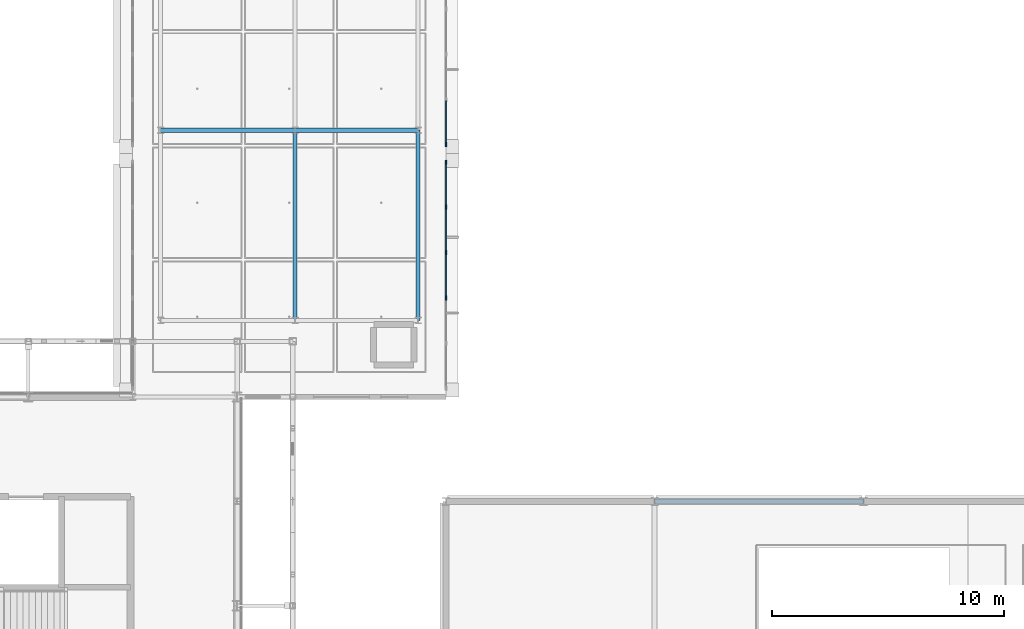
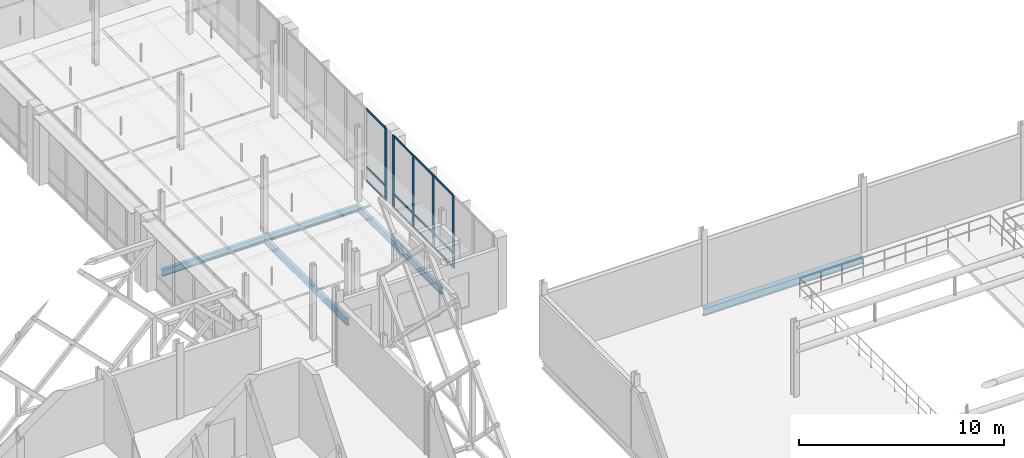
# One storey, part 43 of 140: 17 members, 5 beams, 2 elements without a shape of their own.
"""IFC4 building model written with IfcOpenShell, lengths in metres."""

import ifcopenshell
import ifcopenshell.guid

model = None  # the IFC model being written
_history = None  # IfcOwnerHistory: only IFC2X3 demands one
_inside = {}  # id of a spatial element -> (the spatial element, [elements in it])
_under = {}  # id of a project, library or spatial element -> (it, [spatial elements below it])
_declared = {}  # id of a project -> (the project, [libraries it declares])
_typed = {}  # id of a type object -> (the type object, [elements of that type])
_made_of = {}  # id of a material, layer set ... -> (it, [elements and type objects made of it])


def new_model(schema):
    """Start an empty IFC model of exactly this schema.

    Asked for "IFC4X3", IfcOpenShell would pick the latest addendum, in which some entities
    have other attributes; the version numbers below select the first issue.
    IFC2X3 requires an IfcOwnerHistory on every rooted entity: one is made here for all.
    """
    global model, _history
    if schema == "IFC4X3":
        model = ifcopenshell.file(schema_version=(4, 3, 0, 0))
    else:
        model = ifcopenshell.file(schema=schema)
    _inside.clear()
    _under.clear()
    _declared.clear()
    _typed.clear()
    _made_of.clear()
    _history = None
    if model.schema == "IFC2X3":
        org = make("IfcOrganization", Name="unknown")
        user = make(
            "IfcPersonAndOrganization",
            ThePerson=make("IfcPerson", FamilyName="unknown"),
            TheOrganization=org,
        )
        app = make(
            "IfcApplication",
            ApplicationDeveloper=org,
            Version="unknown",
            ApplicationFullName="unknown",
            ApplicationIdentifier="unknown",
        )
        _history = make(
            "IfcOwnerHistory",
            OwningUser=user,
            OwningApplication=app,
            ChangeAction="ADDED",
            CreationDate=0,
        )
    return model


def make(cls, **values):
    """One entity of the class cls with the attributes given. An attribute that is None is left unset."""
    return model.create_entity(
        cls, **{name: value for name, value in values.items() if value is not None}
    )


def rooted(cls, **values):
    """An entity with a GlobalId (a new one), such as an element, a storey or a relation."""
    return make(cls, GlobalId=ifcopenshell.guid.new(), OwnerHistory=_history, **values)


def si_unit(unit_type, name, prefix=None):
    """IfcSIUnit, for example si_unit("LENGTHUNIT", "METRE", prefix="MILLI")."""
    return make("IfcSIUnit", UnitType=unit_type, Prefix=prefix, Name=name)


def assignment(units):
    """IfcUnitAssignment: the units of a project."""
    return None if units is None else make("IfcUnitAssignment", Units=units)


def point(xyz):
    """IfcCartesianPoint."""
    return None if xyz is None else make("IfcCartesianPoint", Coordinates=xyz)


def direction(xyz):
    """IfcDirection."""
    return None if xyz is None else make("IfcDirection", DirectionRatios=xyz)


def frame(location, z_axis=None, x_axis=None):
    """IfcAxis2Placement3D, a coordinate frame: its origin and axes. An axis left out is left unset."""
    return make(
        "IfcAxis2Placement3D",
        Location=point(location),
        Axis=direction(z_axis),
        RefDirection=direction(x_axis),
    )


def frame_2d(location, x_axis=None):
    """IfcAxis2Placement2D, a coordinate frame in the plane: its origin and x axis."""
    return make(
        "IfcAxis2Placement2D", Location=point(location), RefDirection=direction(x_axis)
    )


def origin():
    """The frame at (0, 0, 0) with its axes left unset."""
    return frame((0.0, 0.0, 0.0))


def origin_2d():
    """The frame at (0, 0) in the plane with its x axis left unset."""
    return frame_2d((0.0, 0.0))


def place(relative_to, where):
    """IfcLocalPlacement: puts the frame where relative to a parent placement (None: the world)."""
    return make(
        "IfcLocalPlacement", PlacementRelTo=relative_to, RelativePlacement=where
    )


def context(
    kind, dimensions, precision=None, world=None, true_north=None, identifier=None
):
    """IfcGeometricRepresentationContext, for example the 3D "Model" context."""
    return make(
        "IfcGeometricRepresentationContext",
        ContextIdentifier=identifier,
        ContextType=kind,
        CoordinateSpaceDimension=dimensions,
        Precision=precision,
        WorldCoordinateSystem=world,
        TrueNorth=true_north,
    )


def subcontext(parent, identifier, kind, view, scale=None):
    """IfcGeometricRepresentationSubContext, for example "Body" below "Model"."""
    return make(
        "IfcGeometricRepresentationSubContext",
        ContextIdentifier=identifier,
        ContextType=kind,
        ParentContext=parent,
        TargetScale=scale,
        TargetView=view,
    )


def project(units=None, contexts=None):
    """IfcProject with its units and contexts."""
    return rooted(
        "IfcProject",
        Name="project",
        RepresentationContexts=contexts,
        UnitsInContext=assignment(units),
    )


def spatial(cls, under=None, at=None, **own):
    """A site, building, storey or space (cls), placed at a placement, below another one or the project."""
    s = rooted(cls, ObjectPlacement=at, **own)
    if under is not None:
        _under.setdefault(under.id(), (under, []))[1].append(s)
    return s


def profile(cls, at=None, kind="AREA", **sizes):
    """A parametric profile (cls). Its sizes go by their IFC names, for example OverallWidth=200.0."""
    return make(cls, ProfileType=kind, Position=at, **sizes)


def rectangle(**sizes):
    """IfcRectangleProfileDef."""
    return profile("IfcRectangleProfileDef", **sizes)


def i_section(**sizes):
    """IfcIShapeProfileDef."""
    return profile("IfcIShapeProfileDef", **sizes)


def extrude(swept, where, along, depth):
    """IfcExtrudedAreaSolid: the profile swept, set in the frame where, extruded along a direction by depth."""
    return make(
        "IfcExtrudedAreaSolid",
        SweptArea=swept,
        Position=where,
        ExtrudedDirection=direction(along),
        Depth=depth,
    )


def shape(context_of_items, identifier, shape_type, items):
    """IfcShapeRepresentation: the items that make up one representation, for example the "Body"."""
    return make(
        "IfcShapeRepresentation",
        ContextOfItems=context_of_items,
        RepresentationIdentifier=identifier,
        RepresentationType=shape_type,
        Items=items,
    )


def material(Name=None, Category=None):
    """IfcMaterial."""
    return make("IfcMaterial", Name=Name, Category=Category)


def material_profile(
    of_material, cross_section, Name=None, Category=None, Priority=None
):
    """IfcMaterialProfile: a cross section and its material."""
    return make(
        "IfcMaterialProfile",
        Name=Name,
        Material=of_material,
        Profile=cross_section,
        Priority=Priority,
        Category=Category,
    )


def profile_set(profiles, Name=None, composite=None):
    """IfcMaterialProfileSet."""
    return make(
        "IfcMaterialProfileSet",
        Name=Name,
        MaterialProfiles=profiles,
        CompositeProfile=composite,
    )


def made_of(thing, what):
    """Note that an element or type object is made of a material, layer set ...; save() writes the relation."""
    if what is not None:
        _made_of.setdefault(what.id(), (what, []))[1].append(thing)
    return thing


def type_object(cls, material=None, **own):
    """A type object (cls), such as IfcWallType, which elements share."""
    return made_of(rooted(cls, **own), material)


def element(
    cls,
    number,
    at=None,
    inside=None,
    cuts=None,
    type_object=None,
    material=None,
    context=None,
    identifier="Body",
    shape_type=None,
    held_by="IfcProductDefinitionShape",
    body=None,
    shapes=None,
    **own,
):
    """One element of the class cls, such as IfcWall. Its Tag is "e" and its number.

    at: its placement. inside: the storey or other place that contains it. cuts: it is an
    opening in that element (IfcRelVoidsElement). A single representation is given by context,
    identifier, shape_type and body (its items); several are given by shapes. held_by: the class
    of the entity that holds the representations. save() writes the other relations.
    """
    e = rooted(cls, Tag="e%d" % number, ObjectPlacement=at, **own)
    if body is not None:
        shapes = [shape(context, identifier, shape_type, body)]
    if shapes is not None:
        e.Representation = make(held_by, Representations=shapes)
    if inside is not None:
        _inside.setdefault(inside.id(), (inside, []))[1].append(e)
    if cuts is not None:
        rooted(
            "IfcRelVoidsElement", RelatingBuildingElement=cuts, RelatedOpeningElement=e
        )
    if type_object is not None:
        _typed.setdefault(type_object.id(), (type_object, []))[1].append(e)
    return made_of(e, material)


def aggregate(whole, parts):
    """IfcRelAggregates: a whole, such as a stair, and the parts it consists of."""
    return rooted("IfcRelAggregates", RelatingObject=whole, RelatedObjects=parts)


def save(model, path):
    """Write the relations noted so far, then the file.

    IfcRelAggregates (storeys below a building ...), IfcRelContainedInSpatialStructure (elements
    in a storey), IfcRelDefinesByType, IfcRelAssociatesMaterial and IfcRelDeclares: one each for
    every whole, place, type object, material and project.
    """
    for whole, parts in _under.values():
        aggregate(whole, parts)
    for where, things in _inside.values():
        rooted(
            "IfcRelContainedInSpatialStructure",
            RelatedElements=things,
            RelatingStructure=where,
        )
    for kind, things in _typed.values():
        rooted("IfcRelDefinesByType", RelatedObjects=things, RelatingType=kind)
    for what, things in _made_of.values():
        rooted("IfcRelAssociatesMaterial", RelatedObjects=things, RelatingMaterial=what)
    for by, libraries in _declared.values():
        rooted("IfcRelDeclares", RelatingContext=by, RelatedDefinitions=libraries)
    model.write(path)


model = new_model("IFC4")

# Units and contexts
model_context = context("Model", 3, precision=1e-05, world=origin(), true_north=direction((0.0, 1.0)))
body_context = subcontext(model_context, "Body", "Model", "MODEL_VIEW")
ifc_project = project(units=[si_unit("LENGTHUNIT", "METRE"), si_unit("AREAUNIT", "SQUARE_METRE"), si_unit("VOLUMEUNIT", "CUBIC_METRE"), si_unit("PLANEANGLEUNIT", "RADIAN"), si_unit("MASSUNIT", "GRAM", prefix="KILO"), si_unit("THERMODYNAMICTEMPERATUREUNIT", "KELVIN"), si_unit("POWERUNIT", "WATT")], contexts=[model_context])

# Site, building, storey
site_placement = place(None, origin())
site = spatial("IfcSite", under=ifc_project, at=site_placement, CompositionType="ELEMENT")
building_placement = place(site_placement, origin())
building = spatial("IfcBuilding", under=site, at=building_placement, Name="Tallowbark Science Centre", CompositionType="ELEMENT")
storey_placement = place(building_placement, frame((0.0, 0.0, 9.89990234375)))
storey = spatial("IfcBuildingStorey", under=building, at=storey_placement, Name="L02", CompositionType="ELEMENT", Elevation=9.89990234375)

# Beams
ifc_material_1 = material(Name="Structural Steel Grade 300PLUS (300 MPa)", Category="steel")
ifc_material_profile_1 = material_profile(ifc_material_1, i_section(OverallWidth=0.177734375, OverallDepth=0.406494140625, WebThickness=0.0078125, FlangeThickness=0.0126953125, FilletRadius=0.011474609375, at=origin_2d()), Name="410UB59.7")
ifc_profile_set_1 = profile_set([ifc_material_profile_1], Name="Structural Steel Grade 300PLUS (300 MPa)")
beam_type_1 = type_object("IfcBeamType", Name="BM-UB410", PredefinedType="BEAM", material=ifc_profile_set_1)
beam_1_placement = place(storey_placement, frame((100.199951171875, 52.0, -0.383056640625), z_axis=(1.0, 0.0, 0.0), x_axis=(0.0, 1.0, 0.0)))
element("IfcBeam", 1, at=beam_1_placement, inside=storey, type_object=beam_type_1, Name="Primary Girder GRDX-L02-1002-1060-520", PredefinedType="BEAM", context=body_context, shape_type="SweptSolid", body=[
    extrude(i_section(OverallWidth=0.177734375, OverallDepth=0.406494140625, WebThickness=0.0078125, FlangeThickness=0.0126953125, FilletRadius=0.011474609375, at=origin_2d()), origin(), (0.0, 0.0, 1.0), 5.800048828125),
])
beam_2_placement = place(storey_placement, frame((106.0, 52.0, -0.383056640625), z_axis=(1.0, 0.0, 0.0), x_axis=(0.0, 1.0, 0.0)))
element("IfcBeam", 2, at=beam_2_placement, inside=storey, type_object=beam_type_1, Name="Primary Girder GRDX-L02-1060-1113-520", PredefinedType="BEAM", context=body_context, shape_type="SweptSolid", body=[
    extrude(i_section(OverallWidth=0.177734375, OverallDepth=0.406494140625, WebThickness=0.0078125, FlangeThickness=0.0126953125, FilletRadius=0.011474609375, at=origin_2d()), origin(), (0.0, 0.0, 1.0), 5.300048828125),
])
for number, where, z_axis, x_axis, name in (
    (3, (106.0, 43.800048828125, -0.383056640625), (0.0, 1.0, 0.0), (-1.0, 0.0, 0.0), "Primary Girder GRDY-L02-1060-438-520"),
    (4, (111.300048828125, 43.800048828125, -0.383056640625), (0.0, 1.0, 0.0), (-1.0, 0.0, 0.0), "Primary Girder GRDY-L02-1113-438-520"),
):
    element("IfcBeam", number, at=place(storey_placement, frame(where, z_axis=z_axis, x_axis=x_axis)), inside=storey, type_object=beam_type_1, Name=name, PredefinedType="BEAM", context=body_context, shape_type="SweptSolid", body=[
        extrude(i_section(OverallWidth=0.177734375, OverallDepth=0.406494140625, WebThickness=0.0078125, FlangeThickness=0.0126953125, FilletRadius=0.011474609375, at=origin_2d()), origin(), (0.0, 0.0, 1.0), 8.199951171875),
    ])

# Curtain wall, members
ifc_material_2 = material(Name="Unitised Thermally Broken Aluminium and Low-E Double Glazing", Category="aluminium")
curtain_wall_type = type_object("IfcCurtainWallType", Name="CW-SYS-FACADE", PredefinedType="NOTDEFINED", material=ifc_material_2)
curtain_wall_1_placement = place(storey_placement, origin())
curtain_wall_1 = element("IfcCurtainWall", 5, at=curtain_wall_1_placement, inside=storey, type_object=curtain_wall_type, Name="Unitised Curtain Wall LNK-E-0 CW-L02-017", PredefinedType="NOTDEFINED")
ifc_material_3 = material(Name="Anodised Architectural Aluminium Alloy 6063-T6", Category="aluminium")
ifc_material_profile_2 = material_profile(ifc_material_3, rectangle(XDim=0.06494140625, YDim=0.179931640625, at=origin_2d()), Name="ALU65x180")
ifc_profile_set_2 = profile_set([ifc_material_profile_2], Name="Anodised Architectural Aluminium Alloy 6063-T6")
member_type_1 = type_object("IfcMemberType", Name="CWM-MUL-220", PredefinedType="MULLION", material=ifc_profile_set_2)
member_1_placement = place(storey_placement, frame((112.5, 44.77001953125, 0.0), z_axis=(0.0, 0.0, 1.0), x_axis=(-1.0, 0.0, 0.0)))
member_1 = element("IfcMember", 6, at=member_1_placement, type_object=member_type_1, Name="CW-01 mullion 3", PredefinedType="MULLION", context=body_context, shape_type="SweptSolid", body=[
    extrude(rectangle(XDim=0.06494140625, YDim=0.179931640625, at=origin_2d()), origin(), (0.0, 0.0, 1.0), 4.320068359375),
])
member_2_placement = place(storey_placement, frame((112.5, 46.72998046875, 0.0), z_axis=(0.0, 0.0, 1.0), x_axis=(-1.0, 0.0, 0.0)))
member_2 = element("IfcMember", 7, at=member_2_placement, type_object=member_type_1, Name="CW-01 mullion 4", PredefinedType="MULLION", context=body_context, shape_type="SweptSolid", body=[
    extrude(rectangle(XDim=0.06494140625, YDim=0.179931640625, at=origin_2d()), origin(), (0.0, 0.0, 1.0), 4.320068359375),
])
member_3_placement = place(storey_placement, frame((112.5, 48.68994140625, 0.0), z_axis=(0.0, 0.0, 1.0), x_axis=(-1.0, 0.0, 0.0)))
member_3 = element("IfcMember", 8, at=member_3_placement, type_object=member_type_1, Name="CW-01 mullion 5", PredefinedType="MULLION", context=body_context, shape_type="SweptSolid", body=[
    extrude(rectangle(XDim=0.06494140625, YDim=0.179931640625, at=origin_2d()), origin(), (0.0, 0.0, 1.0), 4.320068359375),
])
member_4_placement = place(storey_placement, frame((112.5, 50.617431640625, 0.0), z_axis=(0.0, 0.0, 1.0), x_axis=(-1.0, 0.0, 0.0)))
member_4 = element("IfcMember", 9, at=member_4_placement, type_object=member_type_1, Name="CW-01 mullion 6", PredefinedType="MULLION", context=body_context, shape_type="SweptSolid", body=[
    extrude(rectangle(XDim=0.06494140625, YDim=0.179931640625, at=origin_2d()), origin(), (0.0, 0.0, 1.0), 4.320068359375),
])

# Curtain wall, member
curtain_wall_2_placement = place(storey_placement, origin())
curtain_wall_2 = element("IfcCurtainWall", 10, at=curtain_wall_2_placement, inside=storey, type_object=curtain_wall_type, Name="Unitised Curtain Wall LNK-E-1 CW-L02-019", PredefinedType="NOTDEFINED")
member_5_placement = place(storey_placement, frame((112.5, 51.382568359375, 0.0), z_axis=(0.0, 0.0, 1.0), x_axis=(-1.0, 0.0, 0.0)))
member_5 = element("IfcMember", 11, at=member_5_placement, type_object=member_type_1, Name="CW-01 mullion 1", PredefinedType="MULLION", context=body_context, shape_type="SweptSolid", body=[
    extrude(rectangle(XDim=0.06494140625, YDim=0.179931640625, at=origin_2d()), origin(), (0.0, 0.0, 1.0), 4.320068359375),
])

# Member
ifc_material_profile_3 = material_profile(ifc_material_3, rectangle(XDim=0.054931640625, YDim=0.1201171875, at=origin_2d()), Name="ALU55x120")
ifc_profile_set_3 = profile_set([ifc_material_profile_3], Name="Anodised Architectural Aluminium Alloy 6063-T6")
member_type_2 = type_object("IfcMemberType", Name="CWM-TRN-150", PredefinedType="USERDEFINED", material=ifc_profile_set_3)
member_6_placement = place(storey_placement, frame((112.5, 44.802490234375, 0.027587890625), z_axis=(0.0, 1.0, 0.0), x_axis=(-1.0, 0.0, 0.0)))
member_6 = element("IfcMember", 12, at=member_6_placement, type_object=member_type_2, Name="CW-01 transom 3.1", ObjectType="TRANSOM", PredefinedType="USERDEFINED", context=body_context, shape_type="SweptSolid", body=[
    extrude(rectangle(XDim=0.054931640625, YDim=0.1201171875, at=origin_2d()), origin(), (0.0, 0.0, 1.0), 1.89501953125),
])

member_7_placement = place(storey_placement, frame((112.5, 44.802490234375, 0.85009765625), z_axis=(0.0, 1.0, 0.0), x_axis=(-1.0, 0.0, 0.0)))
member_7 = element("IfcMember", 13, at=member_7_placement, type_object=member_type_2, Name="CW-01 transom 3.2", ObjectType="TRANSOM", PredefinedType="USERDEFINED", context=body_context, shape_type="SweptSolid", body=[
    extrude(rectangle(XDim=0.054931640625, YDim=0.1201171875, at=origin_2d()), origin(), (0.0, 0.0, 1.0), 1.89501953125),
])

member_8_placement = place(storey_placement, frame((112.5, 44.802490234375, 4.29248046875), z_axis=(0.0, 1.0, 0.0), x_axis=(-1.0, 0.0, 0.0)))
member_8 = element("IfcMember", 14, at=member_8_placement, type_object=member_type_2, Name="CW-01 transom 3.3", ObjectType="TRANSOM", PredefinedType="USERDEFINED", context=body_context, shape_type="SweptSolid", body=[
    extrude(rectangle(XDim=0.054931640625, YDim=0.1201171875, at=origin_2d()), origin(), (0.0, 0.0, 1.0), 1.89501953125),
])

member_9_placement = place(storey_placement, frame((112.5, 46.762451171875, 0.027587890625), z_axis=(0.0, 1.0, 0.0), x_axis=(-1.0, 0.0, 0.0)))
member_9 = element("IfcMember", 15, at=member_9_placement, type_object=member_type_2, Name="CW-01 transom 4.1", ObjectType="TRANSOM", PredefinedType="USERDEFINED", context=body_context, shape_type="SweptSolid", body=[
    extrude(rectangle(XDim=0.054931640625, YDim=0.1201171875, at=origin_2d()), origin(), (0.0, 0.0, 1.0), 1.89501953125),
])

member_10_placement = place(storey_placement, frame((112.5, 46.762451171875, 0.85009765625), z_axis=(0.0, 1.0, 0.0), x_axis=(-1.0, 0.0, 0.0)))
member_10 = element("IfcMember", 16, at=member_10_placement, type_object=member_type_2, Name="CW-01 transom 4.2", ObjectType="TRANSOM", PredefinedType="USERDEFINED", context=body_context, shape_type="SweptSolid", body=[
    extrude(rectangle(XDim=0.054931640625, YDim=0.1201171875, at=origin_2d()), origin(), (0.0, 0.0, 1.0), 1.89501953125),
])

member_11_placement = place(storey_placement, frame((112.5, 46.762451171875, 4.29248046875), z_axis=(0.0, 1.0, 0.0), x_axis=(-1.0, 0.0, 0.0)))
member_11 = element("IfcMember", 17, at=member_11_placement, type_object=member_type_2, Name="CW-01 transom 4.3", ObjectType="TRANSOM", PredefinedType="USERDEFINED", context=body_context, shape_type="SweptSolid", body=[
    extrude(rectangle(XDim=0.054931640625, YDim=0.1201171875, at=origin_2d()), origin(), (0.0, 0.0, 1.0), 1.89501953125),
])

member_12_placement = place(storey_placement, frame((112.5, 48.722412109375, 0.027587890625), z_axis=(0.0, 1.0, 0.0), x_axis=(-1.0, 0.0, 0.0)))
member_12 = element("IfcMember", 18, at=member_12_placement, type_object=member_type_2, Name="CW-01 transom 5.1", ObjectType="TRANSOM", PredefinedType="USERDEFINED", context=body_context, shape_type="SweptSolid", body=[
    extrude(rectangle(XDim=0.054931640625, YDim=0.1201171875, at=origin_2d()), origin(), (0.0, 0.0, 1.0), 1.862548828125),
])

member_13_placement = place(storey_placement, frame((112.5, 48.722412109375, 0.85009765625), z_axis=(0.0, 1.0, 0.0), x_axis=(-1.0, 0.0, 0.0)))
member_13 = element("IfcMember", 19, at=member_13_placement, type_object=member_type_2, Name="CW-01 transom 5.2", ObjectType="TRANSOM", PredefinedType="USERDEFINED", context=body_context, shape_type="SweptSolid", body=[
    extrude(rectangle(XDim=0.054931640625, YDim=0.1201171875, at=origin_2d()), origin(), (0.0, 0.0, 1.0), 1.862548828125),
])

member_14_placement = place(storey_placement, frame((112.5, 48.722412109375, 4.29248046875), z_axis=(0.0, 1.0, 0.0), x_axis=(-1.0, 0.0, 0.0)))
member_14 = element("IfcMember", 20, at=member_14_placement, type_object=member_type_2, Name="CW-01 transom 5.3", ObjectType="TRANSOM", PredefinedType="USERDEFINED", context=body_context, shape_type="SweptSolid", body=[
    extrude(rectangle(XDim=0.054931640625, YDim=0.1201171875, at=origin_2d()), origin(), (0.0, 0.0, 1.0), 1.862548828125),
])

aggregate(curtain_wall_1, [member_1, member_2, member_3, member_4, member_6, member_7, member_8, member_9, member_10, member_11, member_12, member_13, member_14])

member_15_placement = place(storey_placement, frame((112.5, 51.4150390625, 0.027587890625), z_axis=(0.0, 1.0, 0.0), x_axis=(-1.0, 0.0, 0.0)))
member_15 = element("IfcMember", 21, at=member_15_placement, type_object=member_type_2, Name="CW-01 transom 1.1", ObjectType="TRANSOM", PredefinedType="USERDEFINED", context=body_context, shape_type="SweptSolid", body=[
    extrude(rectangle(XDim=0.054931640625, YDim=0.1201171875, at=origin_2d()), origin(), (0.0, 0.0, 1.0), 1.862548828125),
])

member_16_placement = place(storey_placement, frame((112.5, 51.4150390625, 0.85009765625), z_axis=(0.0, 1.0, 0.0), x_axis=(-1.0, 0.0, 0.0)))
member_16 = element("IfcMember", 22, at=member_16_placement, type_object=member_type_2, Name="CW-01 transom 1.2", ObjectType="TRANSOM", PredefinedType="USERDEFINED", context=body_context, shape_type="SweptSolid", body=[
    extrude(rectangle(XDim=0.054931640625, YDim=0.1201171875, at=origin_2d()), origin(), (0.0, 0.0, 1.0), 1.862548828125),
])

member_17_placement = place(storey_placement, frame((112.5, 51.4150390625, 4.29248046875), z_axis=(0.0, 1.0, 0.0), x_axis=(-1.0, 0.0, 0.0)))
member_17 = element("IfcMember", 23, at=member_17_placement, type_object=member_type_2, Name="CW-01 transom 1.3", ObjectType="TRANSOM", PredefinedType="USERDEFINED", context=body_context, shape_type="SweptSolid", body=[
    extrude(rectangle(XDim=0.054931640625, YDim=0.1201171875, at=origin_2d()), origin(), (0.0, 0.0, 1.0), 1.862548828125),
])

aggregate(curtain_wall_2, [member_5, member_15, member_16, member_17])

# Beam
ifc_material_profile_4 = material_profile(ifc_material_1, i_section(OverallWidth=0.18994140625, OverallDepth=0.453857421875, WebThickness=0.008544921875, FlangeThickness=0.0126953125, FilletRadius=0.011474609375, at=origin_2d()), Name="460UB67.1")
ifc_profile_set_4 = profile_set([ifc_material_profile_4], Name="Structural Steel Grade 300PLUS (300 MPa)")
beam_type_2 = type_object("IfcBeamType", Name="SPN-UB460", PredefinedType="SPANDREL", material=ifc_profile_set_4)
beam_3_placement = place(storey_placement, frame((121.5, 36.0, -0.471923828125), z_axis=(1.0, 0.0, 0.0), x_axis=(0.0, 1.0, 0.0)))
element("IfcBeam", 24, at=beam_3_placement, inside=storey, type_object=beam_type_2, Name="Primary Girder GRDX-L02-1215-1305-360", PredefinedType="SPANDREL", context=body_context, shape_type="SweptSolid", body=[
    extrude(i_section(OverallWidth=0.18994140625, OverallDepth=0.453857421875, WebThickness=0.008544921875, FlangeThickness=0.0126953125, FilletRadius=0.011474609375, at=origin_2d()), origin(), (0.0, 0.0, 1.0), 9.0),
])

save(model, "model.ifc")
